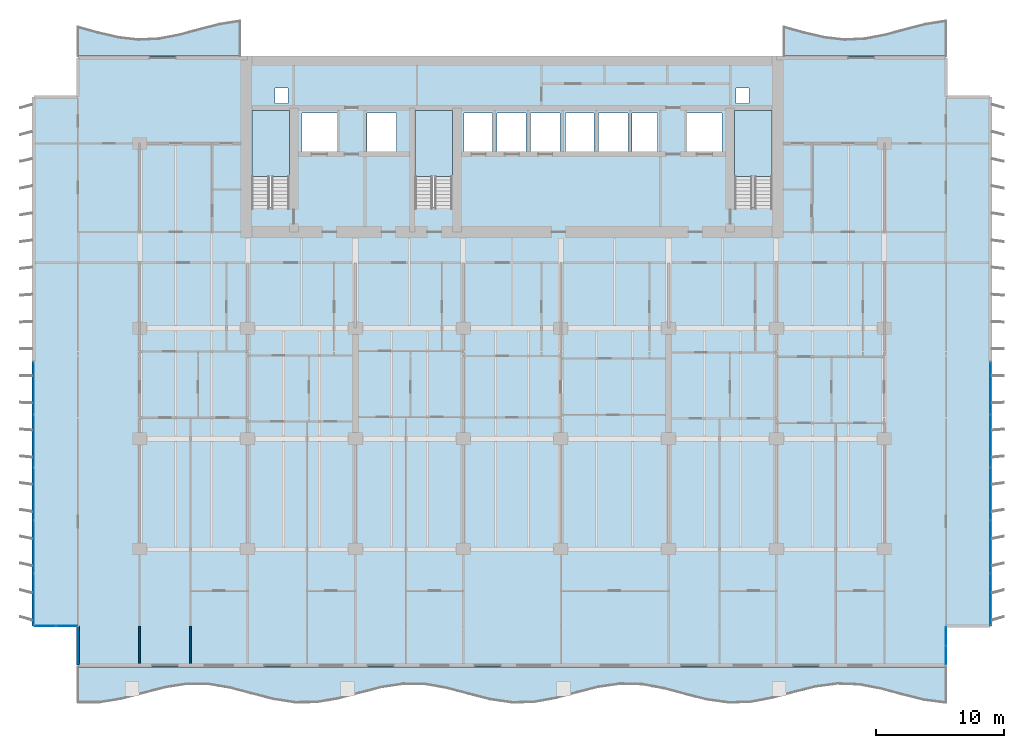
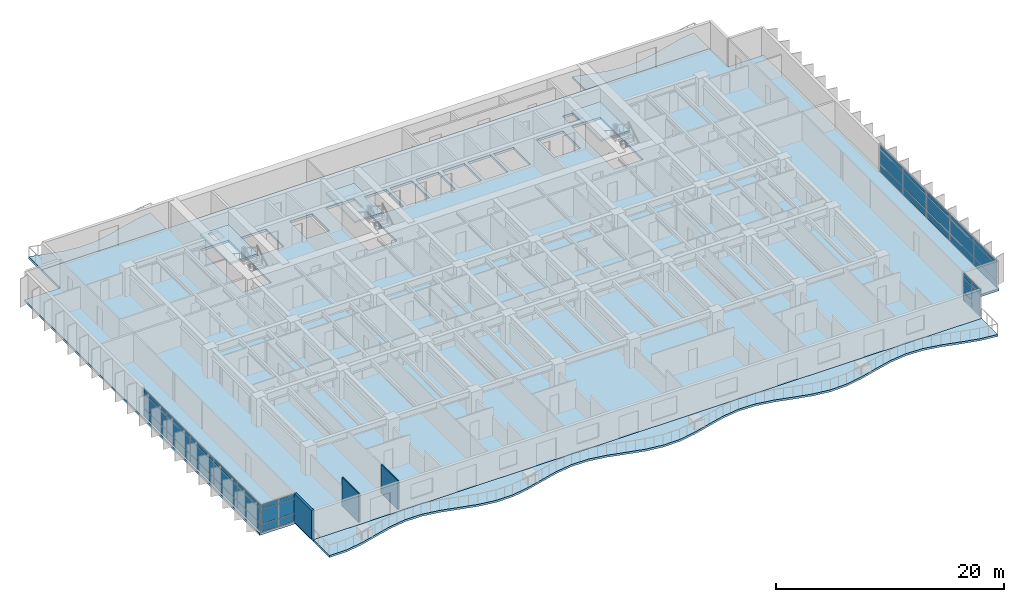
# One storey, part 5 of 18: 42 plates, 7 slabs, 3 walls, 7 elements without a shape of their own.
"""IFC4 building model written with IfcOpenShell, lengths in metres."""

from ifc_helpers import new_model, si_unit, direction, frame, frame_2d, origin, origin_2d, place, context, subcontext, project, spatial, polyline, rectangle, outline, extrude, material, layer, layer_set, type_object, element, aggregate, save


model = new_model("IFC4")

# Units and contexts
model_context = context("Model", 3, precision=1e-05, world=origin(), true_north=direction((0.0, 1.0)))
body_context = subcontext(model_context, "Body", "Model", "MODEL_VIEW")
ifc_project = project(units=[si_unit("LENGTHUNIT", "METRE"), si_unit("AREAUNIT", "SQUARE_METRE"), si_unit("VOLUMEUNIT", "CUBIC_METRE"), si_unit("PLANEANGLEUNIT", "RADIAN"), si_unit("MASSUNIT", "GRAM", prefix="KILO")], contexts=[model_context])

# Site, building, storey
site_placement = place(None, origin())
site = spatial("IfcSite", under=ifc_project, at=site_placement, CompositionType="ELEMENT")
building_placement = place(site_placement, origin())
building = spatial("IfcBuilding", under=site, at=building_placement, Name="Caelmar Bay Residences", CompositionType="ELEMENT")
storey_placement = place(building_placement, frame((0.0, 0.0, 36.60009765625)))
storey = spatial("IfcBuildingStorey", under=building, at=storey_placement, Name="L08", CompositionType="ELEMENT", Elevation=36.60009765625)

# Curtain wall, plates
ifc_material_1 = material(Name="Anodised bronze aluminium 6063-T6 and laminated glass", Category="aluminium")
ifc_layer_1 = layer(ifc_material_1, 0.179931640625)
ifc_layer_set_1 = layer_set([ifc_layer_1], Name="Anodised bronze aluminium 6063-T6 and laminated glass")
curtain_wall_type_1 = type_object("IfcCurtainWallType", Name="CW6-NTC", PredefinedType="NOTDEFINED", material=ifc_layer_set_1)
curtain_wall_1_placement = place(storey_placement, origin())
curtain_wall_1 = element("IfcCurtainWall", 1, at=curtain_wall_1_placement, inside=storey, type_object=curtain_wall_type_1, Name="CW6 curtain wall L08", PredefinedType="NOTDEFINED")
ifc_material_2 = material(Name="Bronze-tinted laminated low-E hurricane glass 28 mm", Category="glass")
ifc_layer_2 = layer(ifc_material_2, 0.028076171875)
ifc_layer_set_2 = layer_set([ifc_layer_2], Name="Bronze-tinted laminated low-E hurricane glass 28 mm")
plate_type = type_object("IfcPlateType", Name="CWP-GLZ28", PredefinedType="CURTAIN_PANEL", material=ifc_layer_set_2)
plate_1_placement = place(storey_placement, frame((2.532470703125, 6.199951171875, 0.080078125), z_axis=(0.0, 0.0, 1.0), x_axis=(1.0, 0.0, 0.0)))
plate_1 = element("IfcPlate", 2, at=plate_1_placement, type_object=plate_type, Name="CW6 panel 1.1", PredefinedType="CURTAIN_PANEL", context=body_context, shape_type="SweptSolid", body=[
    extrude(rectangle(XDim=1.60498046875, YDim=0.028076171875, at=origin_2d()), origin(), (0.0, 0.0, 1.0), 0.780029296875),
])
plate_2_placement = place(storey_placement, frame((2.532470703125, 6.199951171875, 0.93994140625), z_axis=(0.0, 0.0, 1.0), x_axis=(1.0, 0.0, 0.0)))
plate_2 = element("IfcPlate", 3, at=plate_2_placement, type_object=plate_type, Name="CW6 panel 1.2", PredefinedType="CURTAIN_PANEL", context=body_context, shape_type="SweptSolid", body=[
    extrude(rectangle(XDim=1.60498046875, YDim=0.028076171875, at=origin_2d()), origin(), (0.0, 0.0, 1.0), 1.52001953125),
])
plate_3_placement = place(storey_placement, frame((2.532470703125, 6.199951171875, 2.5400390625), z_axis=(0.0, 0.0, 1.0), x_axis=(1.0, 0.0, 0.0)))
plate_3 = element("IfcPlate", 4, at=plate_3_placement, type_object=plate_type, Name="CW6 panel 1.3", PredefinedType="CURTAIN_PANEL", context=body_context, shape_type="SweptSolid", body=[
    extrude(rectangle(XDim=1.60498046875, YDim=0.028076171875, at=origin_2d()), origin(), (0.0, 0.0, 1.0), 0.429931640625),
])
plate_4_placement = place(storey_placement, frame((4.217529296875, 6.199951171875, 0.080078125), z_axis=(0.0, 0.0, 1.0), x_axis=(1.0, 0.0, 0.0)))
plate_4 = element("IfcPlate", 5, at=plate_4_placement, type_object=plate_type, Name="CW6 panel 2.1", PredefinedType="CURTAIN_PANEL", context=body_context, shape_type="SweptSolid", body=[
    extrude(rectangle(XDim=1.60498046875, YDim=0.028076171875, at=origin_2d()), origin(), (0.0, 0.0, 1.0), 0.780029296875),
])
plate_5_placement = place(storey_placement, frame((4.217529296875, 6.199951171875, 0.93994140625), z_axis=(0.0, 0.0, 1.0), x_axis=(1.0, 0.0, 0.0)))
plate_5 = element("IfcPlate", 6, at=plate_5_placement, type_object=plate_type, Name="CW6 panel 2.2", PredefinedType="CURTAIN_PANEL", context=body_context, shape_type="SweptSolid", body=[
    extrude(rectangle(XDim=1.60498046875, YDim=0.028076171875, at=origin_2d()), origin(), (0.0, 0.0, 1.0), 1.52001953125),
])
plate_6_placement = place(storey_placement, frame((4.217529296875, 6.199951171875, 2.5400390625), z_axis=(0.0, 0.0, 1.0), x_axis=(1.0, 0.0, 0.0)))
plate_6 = element("IfcPlate", 7, at=plate_6_placement, type_object=plate_type, Name="CW6 panel 2.3", PredefinedType="CURTAIN_PANEL", context=body_context, shape_type="SweptSolid", body=[
    extrude(rectangle(XDim=1.60498046875, YDim=0.028076171875, at=origin_2d()), origin(), (0.0, 0.0, 1.0), 0.429931640625),
])
aggregate(curtain_wall_1, [plate_1, plate_2, plate_3, plate_4, plate_5, plate_6])

curtain_wall_2_placement = place(storey_placement, origin())
curtain_wall_2 = element("IfcCurtainWall", 8, at=curtain_wall_2_placement, inside=storey, type_object=curtain_wall_type_1, Name="CW6 curtain wall L08", PredefinedType="NOTDEFINED")
plate_7_placement = place(storey_placement, frame((72.699951171875, 3.9326171875, 0.080078125), z_axis=(0.0, 0.0, 1.0), x_axis=(0.0, 1.0, 0.0)))
plate_7 = element("IfcPlate", 9, at=plate_7_placement, type_object=plate_type, Name="CW6 panel 1.1", PredefinedType="CURTAIN_PANEL", context=body_context, shape_type="SweptSolid", body=[
    extrude(rectangle(XDim=1.405029296875, YDim=0.028076171875, at=origin_2d()), origin(), (0.0, 0.0, 1.0), 0.780029296875),
])
plate_8_placement = place(storey_placement, frame((72.699951171875, 3.9326171875, 0.93994140625), z_axis=(0.0, 0.0, 1.0), x_axis=(0.0, 1.0, 0.0)))
plate_8 = element("IfcPlate", 10, at=plate_8_placement, type_object=plate_type, Name="CW6 panel 1.2", PredefinedType="CURTAIN_PANEL", context=body_context, shape_type="SweptSolid", body=[
    extrude(rectangle(XDim=1.405029296875, YDim=0.028076171875, at=origin_2d()), origin(), (0.0, 0.0, 1.0), 1.52001953125),
])
plate_9_placement = place(storey_placement, frame((72.699951171875, 3.9326171875, 2.5400390625), z_axis=(0.0, 0.0, 1.0), x_axis=(0.0, 1.0, 0.0)))
plate_9 = element("IfcPlate", 11, at=plate_9_placement, type_object=plate_type, Name="CW6 panel 1.3", PredefinedType="CURTAIN_PANEL", context=body_context, shape_type="SweptSolid", body=[
    extrude(rectangle(XDim=1.405029296875, YDim=0.028076171875, at=origin_2d()), origin(), (0.0, 0.0, 1.0), 0.429931640625),
])
plate_10_placement = place(storey_placement, frame((72.699951171875, 5.41748046875, 0.080078125), z_axis=(0.0, 0.0, 1.0), x_axis=(0.0, 1.0, 0.0)))
plate_10 = element("IfcPlate", 12, at=plate_10_placement, type_object=plate_type, Name="CW6 panel 2.1", PredefinedType="CURTAIN_PANEL", context=body_context, shape_type="SweptSolid", body=[
    extrude(rectangle(XDim=1.405029296875, YDim=0.028076171875, at=origin_2d()), origin(), (0.0, 0.0, 1.0), 0.780029296875),
])
plate_11_placement = place(storey_placement, frame((72.699951171875, 5.41748046875, 0.93994140625), z_axis=(0.0, 0.0, 1.0), x_axis=(0.0, 1.0, 0.0)))
plate_11 = element("IfcPlate", 13, at=plate_11_placement, type_object=plate_type, Name="CW6 panel 2.2", PredefinedType="CURTAIN_PANEL", context=body_context, shape_type="SweptSolid", body=[
    extrude(rectangle(XDim=1.405029296875, YDim=0.028076171875, at=origin_2d()), origin(), (0.0, 0.0, 1.0), 1.52001953125),
])
plate_12_placement = place(storey_placement, frame((72.699951171875, 5.41748046875, 2.5400390625), z_axis=(0.0, 0.0, 1.0), x_axis=(0.0, 1.0, 0.0)))
plate_12 = element("IfcPlate", 14, at=plate_12_placement, type_object=plate_type, Name="CW6 panel 2.3", PredefinedType="CURTAIN_PANEL", context=body_context, shape_type="SweptSolid", body=[
    extrude(rectangle(XDim=1.405029296875, YDim=0.028076171875, at=origin_2d()), origin(), (0.0, 0.0, 1.0), 0.429931640625),
])
aggregate(curtain_wall_2, [plate_7, plate_8, plate_9, plate_10, plate_11, plate_12])

ifc_layer_3 = layer(ifc_material_1, 0.179931640625)
ifc_layer_set_3 = layer_set([ifc_layer_3], Name="Anodised bronze aluminium 6063-T6 and laminated glass")
curtain_wall_type_2 = type_object("IfcCurtainWallType", Name="CW2-Z1", PredefinedType="NOTDEFINED", material=ifc_layer_set_3)
curtain_wall_3_placement = place(storey_placement, origin())
curtain_wall_3 = element("IfcCurtainWall", 15, at=curtain_wall_3_placement, inside=storey, type_object=curtain_wall_type_2, Name="CW2 curtain wall L08", PredefinedType="NOTDEFINED")
plate_13_placement = place(storey_placement, frame((1.64990234375, 8.280029296875, 0.080078125), z_axis=(0.0, 0.0, 1.0), x_axis=(0.0, 1.0, 0.0)))
plate_13 = element("IfcPlate", 16, at=plate_13_placement, type_object=plate_type, Name="CW2 panel 1.1", PredefinedType="CURTAIN_PANEL", context=body_context, shape_type="SweptSolid", body=[
    extrude(rectangle(XDim=4.0, YDim=0.028076171875, at=origin_2d()), origin(), (0.0, 0.0, 1.0), 0.780029296875),
])
plate_14_placement = place(storey_placement, frame((1.64990234375, 8.280029296875, 0.93994140625), z_axis=(0.0, 0.0, 1.0), x_axis=(0.0, 1.0, 0.0)))
plate_14 = element("IfcPlate", 17, at=plate_14_placement, type_object=plate_type, Name="CW2 panel 1.2", PredefinedType="CURTAIN_PANEL", context=body_context, shape_type="SweptSolid", body=[
    extrude(rectangle(XDim=4.0, YDim=0.028076171875, at=origin_2d()), origin(), (0.0, 0.0, 1.0), 1.52001953125),
])
plate_15_placement = place(storey_placement, frame((1.64990234375, 8.280029296875, 2.5400390625), z_axis=(0.0, 0.0, 1.0), x_axis=(0.0, 1.0, 0.0)))
plate_15 = element("IfcPlate", 18, at=plate_15_placement, type_object=plate_type, Name="CW2 panel 1.3", PredefinedType="CURTAIN_PANEL", context=body_context, shape_type="SweptSolid", body=[
    extrude(rectangle(XDim=4.0, YDim=0.028076171875, at=origin_2d()), origin(), (0.0, 0.0, 1.0), 0.429931640625),
])
plate_16_placement = place(storey_placement, frame((1.64990234375, 12.3798828125, 0.080078125), z_axis=(0.0, 0.0, 1.0), x_axis=(0.0, 1.0, 0.0)))
plate_16 = element("IfcPlate", 19, at=plate_16_placement, type_object=plate_type, Name="CW2 panel 2.1", PredefinedType="CURTAIN_PANEL", context=body_context, shape_type="SweptSolid", body=[
    extrude(rectangle(XDim=4.0400390625, YDim=0.028076171875, at=origin_2d()), origin(), (0.0, 0.0, 1.0), 0.780029296875),
])
plate_17_placement = place(storey_placement, frame((1.64990234375, 12.3798828125, 0.93994140625), z_axis=(0.0, 0.0, 1.0), x_axis=(0.0, 1.0, 0.0)))
plate_17 = element("IfcPlate", 20, at=plate_17_placement, type_object=plate_type, Name="CW2 panel 2.2", PredefinedType="CURTAIN_PANEL", context=body_context, shape_type="SweptSolid", body=[
    extrude(rectangle(XDim=4.0400390625, YDim=0.028076171875, at=origin_2d()), origin(), (0.0, 0.0, 1.0), 1.52001953125),
])
plate_18_placement = place(storey_placement, frame((1.64990234375, 12.3798828125, 2.5400390625), z_axis=(0.0, 0.0, 1.0), x_axis=(0.0, 1.0, 0.0)))
plate_18 = element("IfcPlate", 21, at=plate_18_placement, type_object=plate_type, Name="CW2 panel 2.3", PredefinedType="CURTAIN_PANEL", context=body_context, shape_type="SweptSolid", body=[
    extrude(rectangle(XDim=4.0400390625, YDim=0.028076171875, at=origin_2d()), origin(), (0.0, 0.0, 1.0), 0.429931640625),
])
plate_19_placement = place(storey_placement, frame((1.64990234375, 16.5, 0.080078125), z_axis=(0.0, 0.0, 1.0), x_axis=(0.0, 1.0, 0.0)))
plate_19 = element("IfcPlate", 22, at=plate_19_placement, type_object=plate_type, Name="CW2 panel 3.1", PredefinedType="CURTAIN_PANEL", context=body_context, shape_type="SweptSolid", body=[
    extrude(rectangle(XDim=4.0400390625, YDim=0.028076171875, at=origin_2d()), origin(), (0.0, 0.0, 1.0), 0.780029296875),
])
plate_20_placement = place(storey_placement, frame((1.64990234375, 16.5, 0.93994140625), z_axis=(0.0, 0.0, 1.0), x_axis=(0.0, 1.0, 0.0)))
plate_20 = element("IfcPlate", 23, at=plate_20_placement, type_object=plate_type, Name="CW2 panel 3.2", PredefinedType="CURTAIN_PANEL", context=body_context, shape_type="SweptSolid", body=[
    extrude(rectangle(XDim=4.0400390625, YDim=0.028076171875, at=origin_2d()), origin(), (0.0, 0.0, 1.0), 1.52001953125),
])
plate_21_placement = place(storey_placement, frame((1.64990234375, 16.5, 2.5400390625), z_axis=(0.0, 0.0, 1.0), x_axis=(0.0, 1.0, 0.0)))
plate_21 = element("IfcPlate", 24, at=plate_21_placement, type_object=plate_type, Name="CW2 panel 3.3", PredefinedType="CURTAIN_PANEL", context=body_context, shape_type="SweptSolid", body=[
    extrude(rectangle(XDim=4.0400390625, YDim=0.028076171875, at=origin_2d()), origin(), (0.0, 0.0, 1.0), 0.429931640625),
])
plate_22_placement = place(storey_placement, frame((1.64990234375, 20.6201171875, 0.080078125), z_axis=(0.0, 0.0, 1.0), x_axis=(0.0, 1.0, 0.0)))
plate_22 = element("IfcPlate", 25, at=plate_22_placement, type_object=plate_type, Name="CW2 panel 4.1", PredefinedType="CURTAIN_PANEL", context=body_context, shape_type="SweptSolid", body=[
    extrude(rectangle(XDim=4.0400390625, YDim=0.028076171875, at=origin_2d()), origin(), (0.0, 0.0, 1.0), 0.780029296875),
])
plate_23_placement = place(storey_placement, frame((1.64990234375, 20.6201171875, 0.93994140625), z_axis=(0.0, 0.0, 1.0), x_axis=(0.0, 1.0, 0.0)))
plate_23 = element("IfcPlate", 26, at=plate_23_placement, type_object=plate_type, Name="CW2 panel 4.2", PredefinedType="CURTAIN_PANEL", context=body_context, shape_type="SweptSolid", body=[
    extrude(rectangle(XDim=4.0400390625, YDim=0.028076171875, at=origin_2d()), origin(), (0.0, 0.0, 1.0), 1.52001953125),
])
plate_24_placement = place(storey_placement, frame((1.64990234375, 20.6201171875, 2.5400390625), z_axis=(0.0, 0.0, 1.0), x_axis=(0.0, 1.0, 0.0)))
plate_24 = element("IfcPlate", 27, at=plate_24_placement, type_object=plate_type, Name="CW2 panel 4.3", PredefinedType="CURTAIN_PANEL", context=body_context, shape_type="SweptSolid", body=[
    extrude(rectangle(XDim=4.0400390625, YDim=0.028076171875, at=origin_2d()), origin(), (0.0, 0.0, 1.0), 0.429931640625),
])
plate_25_placement = place(storey_placement, frame((1.64990234375, 24.719970703125, 0.080078125), z_axis=(0.0, 0.0, 1.0), x_axis=(0.0, 1.0, 0.0)))
plate_25 = element("IfcPlate", 28, at=plate_25_placement, type_object=plate_type, Name="CW2 panel 5.1", PredefinedType="CURTAIN_PANEL", context=body_context, shape_type="SweptSolid", body=[
    extrude(rectangle(XDim=4.0, YDim=0.028076171875, at=origin_2d()), origin(), (0.0, 0.0, 1.0), 0.780029296875),
])
plate_26_placement = place(storey_placement, frame((1.64990234375, 24.719970703125, 0.93994140625), z_axis=(0.0, 0.0, 1.0), x_axis=(0.0, 1.0, 0.0)))
plate_26 = element("IfcPlate", 29, at=plate_26_placement, type_object=plate_type, Name="CW2 panel 5.2", PredefinedType="CURTAIN_PANEL", context=body_context, shape_type="SweptSolid", body=[
    extrude(rectangle(XDim=4.0, YDim=0.028076171875, at=origin_2d()), origin(), (0.0, 0.0, 1.0), 1.52001953125),
])
plate_27_placement = place(storey_placement, frame((1.64990234375, 24.719970703125, 2.5400390625), z_axis=(0.0, 0.0, 1.0), x_axis=(0.0, 1.0, 0.0)))
plate_27 = element("IfcPlate", 30, at=plate_27_placement, type_object=plate_type, Name="CW2 panel 5.3", PredefinedType="CURTAIN_PANEL", context=body_context, shape_type="SweptSolid", body=[
    extrude(rectangle(XDim=4.0, YDim=0.028076171875, at=origin_2d()), origin(), (0.0, 0.0, 1.0), 0.429931640625),
])
aggregate(curtain_wall_3, [plate_13, plate_14, plate_15, plate_16, plate_17, plate_18, plate_19, plate_20, plate_21, plate_22, plate_23, plate_24, plate_25, plate_26, plate_27])

curtain_wall_4_placement = place(storey_placement, origin())
curtain_wall_4 = element("IfcCurtainWall", 31, at=curtain_wall_4_placement, inside=storey, type_object=curtain_wall_type_2, Name="CW2 curtain wall L08", PredefinedType="NOTDEFINED")
plate_28_placement = place(storey_placement, frame((76.14990234375, 24.719970703125, 0.080078125), z_axis=(0.0, 0.0, 1.0), x_axis=(0.0, -1.0, 0.0)))
plate_28 = element("IfcPlate", 32, at=plate_28_placement, type_object=plate_type, Name="CW2 panel 1.1", PredefinedType="CURTAIN_PANEL", context=body_context, shape_type="SweptSolid", body=[
    extrude(rectangle(XDim=4.0, YDim=0.028076171875, at=origin_2d()), origin(), (0.0, 0.0, 1.0), 0.780029296875),
])
plate_29_placement = place(storey_placement, frame((76.14990234375, 24.719970703125, 0.93994140625), z_axis=(0.0, 0.0, 1.0), x_axis=(0.0, -1.0, 0.0)))
plate_29 = element("IfcPlate", 33, at=plate_29_placement, type_object=plate_type, Name="CW2 panel 1.2", PredefinedType="CURTAIN_PANEL", context=body_context, shape_type="SweptSolid", body=[
    extrude(rectangle(XDim=4.0, YDim=0.028076171875, at=origin_2d()), origin(), (0.0, 0.0, 1.0), 1.52001953125),
])
plate_30_placement = place(storey_placement, frame((76.14990234375, 24.719970703125, 2.5400390625), z_axis=(0.0, 0.0, 1.0), x_axis=(0.0, -1.0, 0.0)))
plate_30 = element("IfcPlate", 34, at=plate_30_placement, type_object=plate_type, Name="CW2 panel 1.3", PredefinedType="CURTAIN_PANEL", context=body_context, shape_type="SweptSolid", body=[
    extrude(rectangle(XDim=4.0, YDim=0.028076171875, at=origin_2d()), origin(), (0.0, 0.0, 1.0), 0.429931640625),
])
plate_31_placement = place(storey_placement, frame((76.14990234375, 20.6201171875, 0.080078125), z_axis=(0.0, 0.0, 1.0), x_axis=(0.0, -1.0, 0.0)))
plate_31 = element("IfcPlate", 35, at=plate_31_placement, type_object=plate_type, Name="CW2 panel 2.1", PredefinedType="CURTAIN_PANEL", context=body_context, shape_type="SweptSolid", body=[
    extrude(rectangle(XDim=4.0400390625, YDim=0.028076171875, at=origin_2d()), origin(), (0.0, 0.0, 1.0), 0.780029296875),
])
plate_32_placement = place(storey_placement, frame((76.14990234375, 20.6201171875, 0.93994140625), z_axis=(0.0, 0.0, 1.0), x_axis=(0.0, -1.0, 0.0)))
plate_32 = element("IfcPlate", 36, at=plate_32_placement, type_object=plate_type, Name="CW2 panel 2.2", PredefinedType="CURTAIN_PANEL", context=body_context, shape_type="SweptSolid", body=[
    extrude(rectangle(XDim=4.0400390625, YDim=0.028076171875, at=origin_2d()), origin(), (0.0, 0.0, 1.0), 1.52001953125),
])
plate_33_placement = place(storey_placement, frame((76.14990234375, 20.6201171875, 2.5400390625), z_axis=(0.0, 0.0, 1.0), x_axis=(0.0, -1.0, 0.0)))
plate_33 = element("IfcPlate", 37, at=plate_33_placement, type_object=plate_type, Name="CW2 panel 2.3", PredefinedType="CURTAIN_PANEL", context=body_context, shape_type="SweptSolid", body=[
    extrude(rectangle(XDim=4.0400390625, YDim=0.028076171875, at=origin_2d()), origin(), (0.0, 0.0, 1.0), 0.429931640625),
])
plate_34_placement = place(storey_placement, frame((76.14990234375, 16.5, 0.080078125), z_axis=(0.0, 0.0, 1.0), x_axis=(0.0, -1.0, 0.0)))
plate_34 = element("IfcPlate", 38, at=plate_34_placement, type_object=plate_type, Name="CW2 panel 3.1", PredefinedType="CURTAIN_PANEL", context=body_context, shape_type="SweptSolid", body=[
    extrude(rectangle(XDim=4.0400390625, YDim=0.028076171875, at=origin_2d()), origin(), (0.0, 0.0, 1.0), 0.780029296875),
])
plate_35_placement = place(storey_placement, frame((76.14990234375, 16.5, 0.93994140625), z_axis=(0.0, 0.0, 1.0), x_axis=(0.0, -1.0, 0.0)))
plate_35 = element("IfcPlate", 39, at=plate_35_placement, type_object=plate_type, Name="CW2 panel 3.2", PredefinedType="CURTAIN_PANEL", context=body_context, shape_type="SweptSolid", body=[
    extrude(rectangle(XDim=4.0400390625, YDim=0.028076171875, at=origin_2d()), origin(), (0.0, 0.0, 1.0), 1.52001953125),
])
plate_36_placement = place(storey_placement, frame((76.14990234375, 16.5, 2.5400390625), z_axis=(0.0, 0.0, 1.0), x_axis=(0.0, -1.0, 0.0)))
plate_36 = element("IfcPlate", 40, at=plate_36_placement, type_object=plate_type, Name="CW2 panel 3.3", PredefinedType="CURTAIN_PANEL", context=body_context, shape_type="SweptSolid", body=[
    extrude(rectangle(XDim=4.0400390625, YDim=0.028076171875, at=origin_2d()), origin(), (0.0, 0.0, 1.0), 0.429931640625),
])
plate_37_placement = place(storey_placement, frame((76.14990234375, 12.3798828125, 0.080078125), z_axis=(0.0, 0.0, 1.0), x_axis=(0.0, -1.0, 0.0)))
plate_37 = element("IfcPlate", 41, at=plate_37_placement, type_object=plate_type, Name="CW2 panel 4.1", PredefinedType="CURTAIN_PANEL", context=body_context, shape_type="SweptSolid", body=[
    extrude(rectangle(XDim=4.0400390625, YDim=0.028076171875, at=origin_2d()), origin(), (0.0, 0.0, 1.0), 0.780029296875),
])
plate_38_placement = place(storey_placement, frame((76.14990234375, 12.3798828125, 0.93994140625), z_axis=(0.0, 0.0, 1.0), x_axis=(0.0, -1.0, 0.0)))
plate_38 = element("IfcPlate", 42, at=plate_38_placement, type_object=plate_type, Name="CW2 panel 4.2", PredefinedType="CURTAIN_PANEL", context=body_context, shape_type="SweptSolid", body=[
    extrude(rectangle(XDim=4.0400390625, YDim=0.028076171875, at=origin_2d()), origin(), (0.0, 0.0, 1.0), 1.52001953125),
])
plate_39_placement = place(storey_placement, frame((76.14990234375, 12.3798828125, 2.5400390625), z_axis=(0.0, 0.0, 1.0), x_axis=(0.0, -1.0, 0.0)))
plate_39 = element("IfcPlate", 43, at=plate_39_placement, type_object=plate_type, Name="CW2 panel 4.3", PredefinedType="CURTAIN_PANEL", context=body_context, shape_type="SweptSolid", body=[
    extrude(rectangle(XDim=4.0400390625, YDim=0.028076171875, at=origin_2d()), origin(), (0.0, 0.0, 1.0), 0.429931640625),
])
plate_40_placement = place(storey_placement, frame((76.14990234375, 8.280029296875, 0.080078125), z_axis=(0.0, 0.0, 1.0), x_axis=(0.0, -1.0, 0.0)))
plate_40 = element("IfcPlate", 44, at=plate_40_placement, type_object=plate_type, Name="CW2 panel 5.1", PredefinedType="CURTAIN_PANEL", context=body_context, shape_type="SweptSolid", body=[
    extrude(rectangle(XDim=4.0, YDim=0.028076171875, at=origin_2d()), origin(), (0.0, 0.0, 1.0), 0.780029296875),
])
plate_41_placement = place(storey_placement, frame((76.14990234375, 8.280029296875, 0.93994140625), z_axis=(0.0, 0.0, 1.0), x_axis=(0.0, -1.0, 0.0)))
plate_41 = element("IfcPlate", 45, at=plate_41_placement, type_object=plate_type, Name="CW2 panel 5.2", PredefinedType="CURTAIN_PANEL", context=body_context, shape_type="SweptSolid", body=[
    extrude(rectangle(XDim=4.0, YDim=0.028076171875, at=origin_2d()), origin(), (0.0, 0.0, 1.0), 1.52001953125),
])
plate_42_placement = place(storey_placement, frame((76.14990234375, 8.280029296875, 2.5400390625), z_axis=(0.0, 0.0, 1.0), x_axis=(0.0, -1.0, 0.0)))
plate_42 = element("IfcPlate", 46, at=plate_42_placement, type_object=plate_type, Name="CW2 panel 5.3", PredefinedType="CURTAIN_PANEL", context=body_context, shape_type="SweptSolid", body=[
    extrude(rectangle(XDim=4.0, YDim=0.028076171875, at=origin_2d()), origin(), (0.0, 0.0, 1.0), 0.429931640625),
])
aggregate(curtain_wall_4, [plate_28, plate_29, plate_30, plate_31, plate_32, plate_33, plate_34, plate_35, plate_36, plate_37, plate_38, plate_39, plate_40, plate_41, plate_42])

# Slabs
ifc_material_3 = material(Name="Concrete f'c 40 MPa (6,000 psi)", Category="concrete")
ifc_layer_4 = layer(ifc_material_3, 0.219970703125)
ifc_layer_set_4 = layer_set([ifc_layer_4], Name="Concrete f'c 40 MPa (6,000 psi)")
slab_type_1 = type_object("IfcSlabType", Name="SLB-BAL-220", PredefinedType="FLOOR", material=ifc_layer_set_4)
slab_1_placement = place(storey_placement, frame((0.0, 0.0, -0.22021484375)))
element("IfcSlab", 47, at=slab_1_placement, inside=storey, type_object=slab_type_1, Name="L08 Sinusoidal Tree-Balcony Slab south", PredefinedType="FLOOR", context=body_context, shape_type="SweptSolid", body=[
    extrude(outline(polyline([(5.10009765625, 0.186767578125), (6.7900390625, 0.1875), (8.47998046875, 0.463623046875), (10.169921875, 0.908447265625), (11.860107421875, 1.349853515625), (13.550048828125, 1.617431640625), (15.239990234375, 1.60791015625), (16.929931640625, 1.32470703125), (18.6201171875, 0.877685546875), (20.31005859375, 0.43896484375), (22.0, 0.178466796875), (23.68994140625, 0.19677734375), (25.3798828125, 0.48681640625), (27.070068359375, 0.9365234375), (28.760009765625, 1.3720703125), (30.449951171875, 1.625244140625), (32.139892578125, 1.59814453125), (33.830078125, 1.301513671875), (35.52001953125, 0.849609375), (37.2099609375, 0.417236328125), (38.89990234375, 0.17138671875), (40.590087890625, 0.20703125), (42.280029296875, 0.510498046875), (43.969970703125, 0.96435546875), (45.659912109375, 1.3935546875), (47.35009765625, 1.6318359375), (49.0400390625, 1.58740234375), (50.72998046875, 1.27734375), (52.419921875, 0.821533203125), (54.110107421875, 0.39599609375), (55.800048828125, 0.165283203125), (57.489990234375, 0.21826171875), (59.179931640625, 0.534912109375), (60.8701171875, 0.9921875), (62.56005859375, 1.414306640625), (64.25, 1.637451171875), (65.93994140625, 1.57568359375), (67.6298828125, 1.2529296875), (69.320068359375, 0.793701171875), (71.010009765625, 0.375732421875), (72.699951171875, 0.16015625), (72.699951171875, 3.0), (5.10009765625, 3.0), (5.10009765625, 0.186767578125)])), origin(), (0.0, 0.0, 1.0), 0.22021484375),
])
slab_2_placement = place(storey_placement, frame((0.0, 0.0, -0.22021484375)))
element("IfcSlab", 48, at=slab_2_placement, inside=storey, type_object=slab_type_1, Name="L08 Sinusoidal Tree-Balcony Slab north_west", PredefinedType="FLOOR", context=body_context, shape_type="SweptSolid", body=[
    extrude(outline(polyline([(5.10009765625, 50.60009765625), (17.699951171875, 50.60009765625), (17.699951171875, 53.413330078125), (16.125, 53.164306640625), (14.550048828125, 52.7587890625), (12.97509765625, 52.33349609375), (11.39990234375, 52.03173828125), (9.824951171875, 51.955078125), (8.25, 52.129638671875), (6.675048828125, 52.496337890625), (5.10009765625, 52.931884765625), (5.10009765625, 50.60009765625)])), origin(), (0.0, 0.0, 1.0), 0.22021484375),
])
slab_3_placement = place(storey_placement, frame((0.0, 0.0, -0.22021484375)))
element("IfcSlab", 49, at=slab_3_placement, inside=storey, type_object=slab_type_1, Name="L08 Sinusoidal Tree-Balcony Slab north_east", PredefinedType="FLOOR", context=body_context, shape_type="SweptSolid", body=[
    extrude(outline(polyline([(60.10009765625, 50.60009765625), (72.699951171875, 50.60009765625), (72.699951171875, 53.413330078125), (71.125, 53.164306640625), (69.550048828125, 52.7587890625), (67.97509765625, 52.33349609375), (66.39990234375, 52.03173828125), (64.824951171875, 51.955078125), (63.25, 52.129638671875), (61.675048828125, 52.496337890625), (60.10009765625, 52.931884765625), (60.10009765625, 50.60009765625)])), origin(), (0.0, 0.0, 1.0), 0.22021484375),
])

# Stair, slab
stair_type = type_object("IfcStairType", Name="ST-TYP-165", PredefinedType="HALF_TURN_STAIR", material=ifc_material_3)
stair_1_placement = place(storey_placement, origin())
stair_1 = element("IfcStair", 50, at=stair_1_placement, inside=storey, type_object=stair_type, Name="L08 West Smokeproof Exit Stair ST1", PredefinedType="HALF_TURN_STAIR")
ifc_layer_5 = layer(ifc_material_3, 0.199951171875)
ifc_layer_set_5 = layer_set([ifc_layer_5], Name="Concrete f'c 40 MPa (6,000 psi)")
slab_type_2 = type_object("IfcSlabType", Name="SLB-LND-200", PredefinedType="LANDING", material=ifc_layer_set_5)
slab_4_placement = place(storey_placement, frame((0.0, 0.0, 1.449951171875)))
slab_4 = element("IfcSlab", 51, at=slab_4_placement, type_object=slab_type_2, Name="ST1 landing 1", PredefinedType="LANDING", context=body_context, shape_type="SweptSolid", body=[
    extrude(outline(polyline([(21.550048828125, 41.219970703125), (21.550048828125, 46.35009765625), (18.64990234375, 46.35009765625), (18.64990234375, 41.219970703125), (21.550048828125, 41.219970703125)])), origin(), (0.0, 0.0, 1.0), 0.199951171875),
])
aggregate(stair_1, [slab_4])

stair_2_placement = place(storey_placement, origin())
stair_2 = element("IfcStair", 52, at=stair_2_placement, inside=storey, type_object=stair_type, Name="L08 East Smokeproof Exit Stair ST2", PredefinedType="HALF_TURN_STAIR")
slab_5_placement = place(storey_placement, frame((0.0, 0.0, 1.449951171875)))
slab_5 = element("IfcSlab", 53, at=slab_5_placement, type_object=slab_type_2, Name="ST2 landing 1", PredefinedType="LANDING", context=body_context, shape_type="SweptSolid", body=[
    extrude(outline(polyline([(59.14990234375, 41.219970703125), (59.14990234375, 46.35009765625), (56.25, 46.35009765625), (56.25, 41.219970703125), (59.14990234375, 41.219970703125)])), origin(), (0.0, 0.0, 1.0), 0.199951171875),
])
aggregate(stair_2, [slab_5])

stair_3_placement = place(storey_placement, origin())
stair_3 = element("IfcStair", 54, at=stair_3_placement, inside=storey, type_object=stair_type, Name="L08 Central Smokeproof Exit Stair ST3", PredefinedType="HALF_TURN_STAIR")
slab_6_placement = place(storey_placement, frame((0.0, 0.0, 1.449951171875)))
slab_6 = element("IfcSlab", 55, at=slab_6_placement, type_object=slab_type_2, Name="ST3 landing 1", PredefinedType="LANDING", context=body_context, shape_type="SweptSolid", body=[
    extrude(outline(polyline([(34.25, 41.219970703125), (34.25, 46.35009765625), (31.35009765625, 46.35009765625), (31.35009765625, 41.219970703125), (34.25, 41.219970703125)])), origin(), (0.0, 0.0, 1.0), 0.199951171875),
])
aggregate(stair_3, [slab_6])

# Slab
ifc_layer_6 = layer(ifc_material_3, 0.25)
ifc_layer_set_6 = layer_set([ifc_layer_6], Name="Concrete f'c 40 MPa (6,000 psi)")
slab_type_3 = type_object("IfcSlabType", Name="SLB-RES-250", PredefinedType="FLOOR", material=ifc_layer_set_6)
slab_7_placement = place(storey_placement, frame((0.0, 0.0, -0.25)))
element("IfcSlab", 56, at=slab_7_placement, inside=storey, type_object=slab_type_3, Name="L08 Structural Floor Slab", PredefinedType="FLOOR", context=body_context, shape_type="SweptSolid", body=[
    extrude(outline(polyline([(5.10009765625, 3.0), (72.699951171875, 3.0), (72.699951171875, 6.199951171875), (76.300048828125, 6.199951171875), (76.300048828125, 47.39990234375), (72.699951171875, 47.39990234375), (72.699951171875, 50.60009765625), (5.10009765625, 50.60009765625), (5.10009765625, 47.39990234375), (1.5, 47.39990234375), (1.5, 6.199951171875), (5.10009765625, 6.199951171875), (5.10009765625, 3.0)]), holes=[polyline([(18.64990234375, 38.85009765625), (21.550048828125, 38.85009765625), (21.550048828125, 46.35009765625), (18.64990234375, 46.35009765625), (18.64990234375, 38.85009765625)]), polyline([(56.25, 38.85009765625), (59.14990234375, 38.85009765625), (59.14990234375, 46.35009765625), (56.25, 46.35009765625), (56.25, 38.85009765625)]), polyline([(31.35009765625, 38.85009765625), (34.25, 38.85009765625), (34.25, 46.35009765625), (31.35009765625, 46.35009765625), (31.35009765625, 38.85009765625)]), polyline([(22.550048828125, 43.050048828125), (25.25, 43.050048828125), (25.25, 46.14990234375), (22.550048828125, 46.14990234375), (22.550048828125, 43.050048828125)]), polyline([(52.550048828125, 43.050048828125), (55.25, 43.050048828125), (55.25, 46.14990234375), (52.550048828125, 46.14990234375), (52.550048828125, 43.050048828125)]), polyline([(35.14990234375, 43.14990234375), (37.39990234375, 43.14990234375), (37.39990234375, 46.14990234375), (35.14990234375, 46.14990234375), (35.14990234375, 43.14990234375)]), polyline([(37.75, 43.14990234375), (40.0, 43.14990234375), (40.0, 46.14990234375), (37.75, 46.14990234375), (37.75, 43.14990234375)]), polyline([(40.35009765625, 43.14990234375), (42.64990234375, 43.14990234375), (42.64990234375, 46.14990234375), (40.35009765625, 46.14990234375), (40.35009765625, 43.14990234375)]), polyline([(43.050048828125, 43.14990234375), (45.300048828125, 43.14990234375), (45.300048828125, 46.14990234375), (43.050048828125, 46.14990234375), (43.050048828125, 43.14990234375)]), polyline([(45.64990234375, 43.14990234375), (47.949951171875, 43.14990234375), (47.949951171875, 46.14990234375), (45.64990234375, 46.14990234375), (45.64990234375, 43.14990234375)]), polyline([(48.25, 43.14990234375), (50.25, 43.14990234375), (50.25, 46.14990234375), (48.25, 46.14990234375), (48.25, 43.14990234375)]), polyline([(27.60009765625, 43.14990234375), (29.89990234375, 43.14990234375), (29.89990234375, 46.14990234375), (27.60009765625, 46.14990234375), (27.60009765625, 43.14990234375)]), polyline([(20.449951171875, 46.89990234375), (21.449951171875, 46.89990234375), (21.449951171875, 48.10009765625), (20.449951171875, 48.10009765625), (20.449951171875, 46.89990234375)]), polyline([(56.35009765625, 46.89990234375), (57.35009765625, 46.89990234375), (57.35009765625, 48.10009765625), (56.35009765625, 48.10009765625), (56.35009765625, 46.89990234375)])]), origin(), (0.0, 0.0, 1.0), 0.25),
])

# Walls
ifc_material_4 = material(Name="Precast concrete f'c 40 MPa (6,000 psi)", Category="concrete")
ifc_layer_7 = layer(ifc_material_4, 0.25)
ifc_layer_set_7 = layer_set([ifc_layer_7], Name="Precast concrete f'c 40 MPa (6,000 psi)")
wall_type_1 = type_object("IfcWallType", Name="W-EXT-250", PredefinedType="ELEMENTEDWALL", material=ifc_layer_set_7)
wall_placement = place(storey_placement, frame((5.10009765625, 6.199951171875, 0.0), z_axis=(0.0, 0.0, 1.0), x_axis=(0.0, -1.0, 0.0)))
element("IfcWall", 57, at=wall_placement, inside=storey, type_object=wall_type_1, Name="L08 SW Notch Return Wall", PredefinedType="ELEMENTEDWALL", context=body_context, shape_type="SweptSolid", body=[
    extrude(rectangle(XDim=3.050048828125, YDim=0.25, at=frame_2d((1.52490234375, 0.0))), origin(), (0.0, 0.0, 1.0), 3.0498046875),
])
ifc_material_5 = material(Name="Acoustic metal-stud gypsum partition 120 mm")
ifc_layer_8 = layer(ifc_material_5, 0.1201171875)
ifc_layer_set_8 = layer_set([ifc_layer_8], Name="Acoustic metal-stud gypsum partition 120 mm")
wall_type_2 = type_object("IfcWallType", Name="W-PRT-120", PredefinedType="PARTITIONING", material=ifc_layer_set_8)
for number, where, z_axis, x_axis, name in (
    (58, (9.89990234375, 3.294921875, 0.0), (0.0, 0.0, 1.0), (0.0, 1.0, 0.0), "L08 Partition Wall V007"),
    (59, (13.847900390625, 3.294921875, 0.0), (0.0, 0.0, 1.0), (0.0, 1.0, 0.0), "L08 Partition Wall V013"),
):
    element("IfcWall", number, at=place(storey_placement, frame(where, z_axis=z_axis, x_axis=x_axis)), inside=storey, type_object=wall_type_2, Name=name, PredefinedType="PARTITIONING", context=body_context, shape_type="SweptSolid", body=[
        extrude(rectangle(XDim=2.905029296875, YDim=0.1201171875, at=frame_2d((1.45263671875, 0.0))), origin(), (0.0, 0.0, 1.0), 3.0498046875),
    ])

save(model, "model.ifc")
